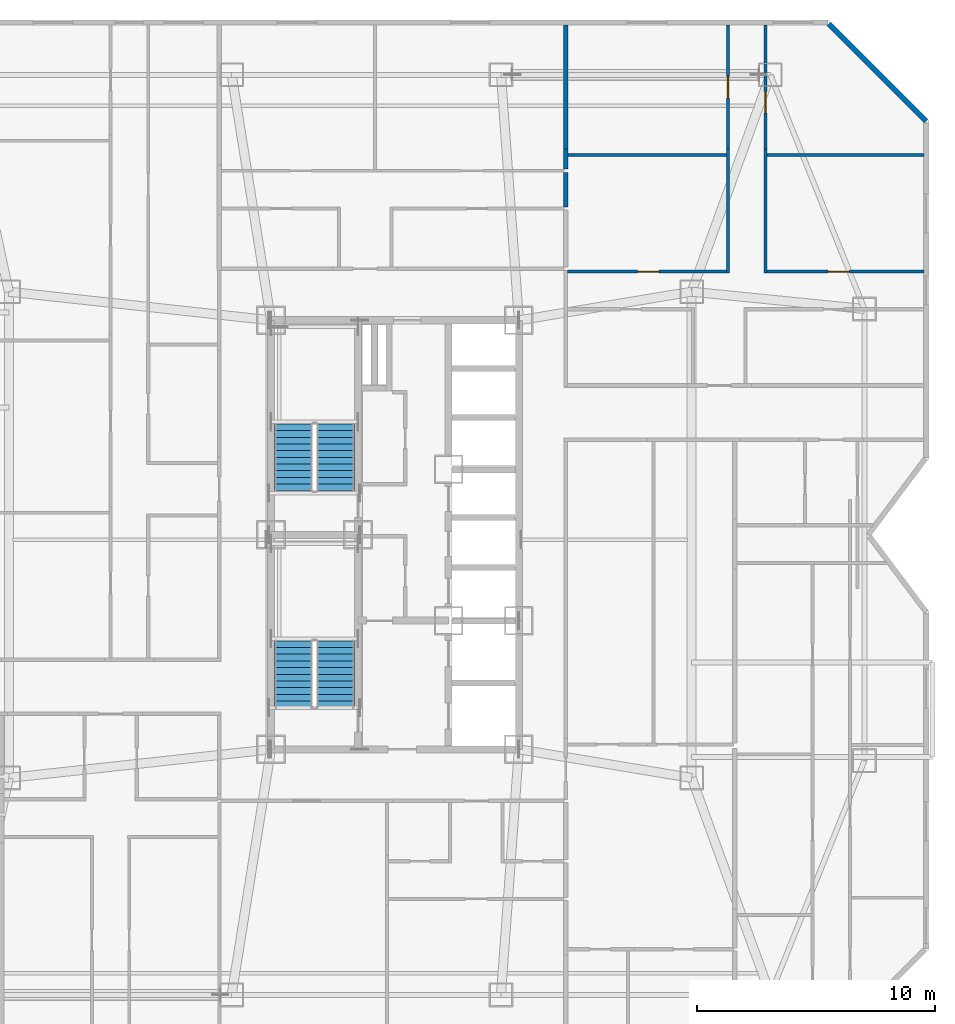
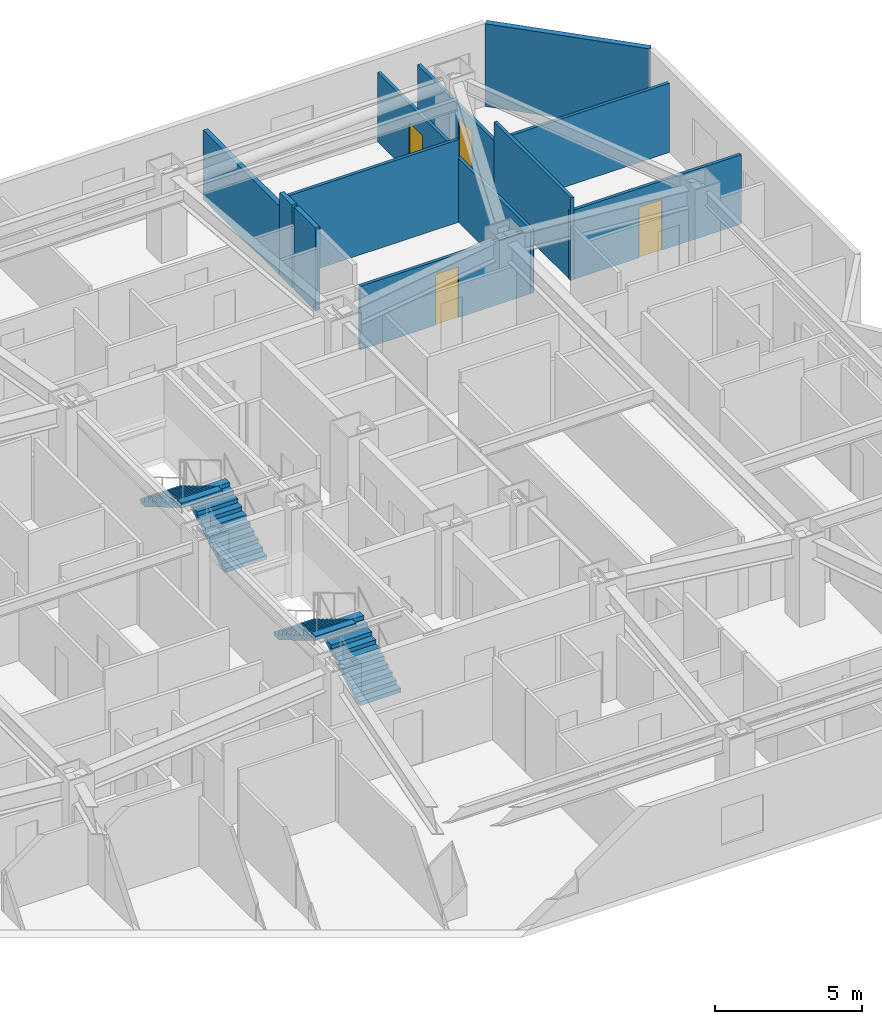
# One storey, part 20 of 21: 12 walls, 4 doors, 4 stair flights, 4 openings, 2 elements without a shape of their own.
"""IFC4 building model written with IfcOpenShell, lengths in metres."""

from ifc_helpers import new_model, si_unit, direction, frame, frame_2d, origin, place, context, subcontext, project, spatial, polyline, rectangle, outline, extrude, material, layer, layer_set, type_object, element, fill, aggregate, save


model = new_model("IFC4")

# Units and contexts
model_context = context("Model", 3, precision=1e-05, world=origin(), true_north=direction((0.0, 1.0)))
body_context = subcontext(model_context, "Body", "Model", "MODEL_VIEW")
ifc_project = project(units=[si_unit("LENGTHUNIT", "METRE"), si_unit("AREAUNIT", "SQUARE_METRE"), si_unit("VOLUMEUNIT", "CUBIC_METRE"), si_unit("PLANEANGLEUNIT", "RADIAN"), si_unit("MASSUNIT", "GRAM", prefix="KILO")], contexts=[model_context])

# Site, building, storey
site_placement = place(None, origin())
site = spatial("IfcSite", under=ifc_project, at=site_placement, CompositionType="ELEMENT")
building_placement = place(site_placement, origin())
building = spatial("IfcBuilding", under=site, at=building_placement, Name="Khamvora Tower", CompositionType="ELEMENT")
storey_placement = place(building_placement, frame((0.0, 0.0, 98.25)))
storey = spatial("IfcBuildingStorey", under=building, at=storey_placement, Name="L24", CompositionType="ELEMENT", Elevation=98.25)

# Walls
ifc_material_1 = material(Name="Acoustic Double-Stud Fire Wall", Category="gypsum")
ifc_layer_1 = layer(ifc_material_1, 0.179931640625)
ifc_layer_set_1 = layer_set([ifc_layer_1], Name="Acoustic Double-Stud Fire Wall")
wall_type_1 = type_object("IfcWallType", Name="WAL-CORR-180", PredefinedType="STANDARD", material=ifc_layer_set_1)
wall_1_placement = place(storey_placement, frame((41.364990234375, 43.2099609375, 0.0), z_axis=(0.0, 0.0, 1.0), x_axis=(0.0, -1.0, 0.0)))
element("IfcWall", 1, at=wall_1_placement, inside=storey, type_object=wall_type_1, Name="L24 interior partition wall 124", PredefinedType="STANDARD", context=body_context, shape_type="SweptSolid", body=[
    extrude(rectangle(XDim=1.449951171875, YDim=0.179931640625, at=frame_2d((0.72509765625, 0.0))), origin(), (0.0, 0.0, 1.0), 3.429931640625),
])
wall_2_placement = place(storey_placement, frame((41.364990234375, 44.179931640625, 0.0), z_axis=(0.0, 0.0, 1.0), x_axis=(0.0, -1.0, 0.0)))
element("IfcWall", 2, at=wall_2_placement, inside=storey, type_object=wall_type_1, Name="L24 interior partition wall 127", PredefinedType="STANDARD", context=body_context, shape_type="SweptSolid", body=[
    extrude(rectangle(XDim=0.83984375, YDim=0.179931640625, at=frame_2d((0.419921875, 0.0))), origin(), (0.0, 0.0, 1.0), 3.429931640625),
])
wall_3_placement = place(storey_placement, frame((41.364990234375, 49.387939453125, 0.0), z_axis=(0.0, 0.0, 1.0), x_axis=(0.0, -1.0, 0.0)))
element("IfcWall", 3, at=wall_3_placement, inside=storey, type_object=wall_type_1, Name="L24 interior partition wall 128", PredefinedType="STANDARD", context=body_context, shape_type="SweptSolid", body=[
    extrude(rectangle(XDim=5.2080078125, YDim=0.179931640625, at=frame_2d((2.60400390625, 0.0))), origin(), (0.0, 0.0, 1.0), 2.8759765625),
])
ifc_material_2 = material(Name="Precast concrete C40/50", Category="concrete")
ifc_layer_2 = layer(ifc_material_2, 0.219970703125)
ifc_layer_set_2 = layer_set([ifc_layer_2], Name="Precast concrete C40/50")
wall_type_2 = type_object("IfcWallType", Name="WAL-EXT-220", PredefinedType="STANDARD", material=ifc_layer_set_2)
wall_4_placement = place(storey_placement, frame((52.402099609375, 49.44189453125, 0.0), z_axis=(0.0, 0.0, 1.0), x_axis=(0.707106781187, -0.707106781187, 0.0)))
element("IfcWall", 4, at=wall_4_placement, inside=storey, type_object=wall_type_2, Name="L24 exterior facade wall 08.1", PredefinedType="STANDARD", context=body_context, shape_type="SweptSolid", body=[
    extrude(rectangle(XDim=5.78125, YDim=0.219970703125, at=frame_2d((2.890625, 0.0))), origin(), (0.0, 0.0, 1.0), 3.429931640625),
])

# Wall, opening, door
ifc_material_3 = material(Name="Gypsum Plasterboard Partition", Category="gypsum")
ifc_layer_3 = layer(ifc_material_3, 0.1201171875)
ifc_layer_set_3 = layer_set([ifc_layer_3], Name="Gypsum Plasterboard Partition")
wall_type_3 = type_object("IfcWallType", Name="WAL-PART-120", PredefinedType="PARTITIONING", material=ifc_layer_set_3)
wall_5_placement = place(storey_placement, frame((41.431884765625, 39.0439453125, 0.0), z_axis=(0.0, 0.0, 1.0), x_axis=(1.0, 0.0, 0.0)))
wall_5 = element("IfcWall", 5, at=wall_5_placement, inside=storey, type_object=wall_type_3, Name="L24 interior partition wall 161", PredefinedType="PARTITIONING", context=body_context, shape_type="SweptSolid", body=[
    extrude(rectangle(XDim=6.80810546875, YDim=0.1201171875, at=frame_2d((3.404052734375, 0.0))), origin(), (0.0, 0.0, 1.0), 2.64697265625),
])
opening_1_placement = place(wall_5_placement, frame((2.9541015625, 0.0, 0.0)))
opening_1 = element("IfcOpeningElement", 6, at=opening_1_placement, cuts=wall_5, Name="Opening D-RM1", PredefinedType="OPENING", context=body_context, shape_type="SweptSolid", body=[
    extrude(rectangle(XDim=0.89990234375, YDim=2.10009765625, at=frame_2d((0.449951171875, 1.050048828125))), frame((0.0, 0.070068359375, 0.0), z_axis=(0.0, -1.0, 0.0), x_axis=(1.0, 0.0, 0.0)), (0.0, 0.0, 1.0), 0.14013671875),
])
ifc_material_4 = material(Name="Powder-Coated Steel and Hardwood Leaf", Category="steel")
door_type = type_object("IfcDoorType", Name="DOR-ROOM-900", OperationType="NOTDEFINED", PredefinedType="DOOR", material=ifc_material_4)
door_1_placement = place(opening_1_placement, origin())
door_1 = element("IfcDoor", 7, at=door_1_placement, inside=storey, type_object=door_type, Name="L24 interior door 24ECH-24ECL", OperationType="SINGLE_SWING_LEFT", OverallHeight=2.10009765625, OverallWidth=0.89990234375, PredefinedType="DOOR", context=body_context, shape_type="SweptSolid", body=[
    extrude(rectangle(XDim=0.89990234375, YDim=2.10009765625, at=frame_2d((0.449951171875, 1.050048828125))), frame((0.0, 0.02490234375, 0.0), z_axis=(0.0, -1.0, 0.0), x_axis=(1.0, 0.0, 0.0)), (0.0, 0.0, 1.0), 0.050048828125),
])
fill(opening_1, door_1)

# Wall
wall_6_placement = place(storey_placement, frame((48.175048828125, 38.97900390625, 0.0), z_axis=(0.0, 0.0, 1.0), x_axis=(0.0, 1.0, 0.0)))
element("IfcWall", 8, at=wall_6_placement, inside=storey, type_object=wall_type_3, Name="L24 interior partition wall 162", PredefinedType="PARTITIONING", context=body_context, shape_type="SweptSolid", body=[
    extrude(rectangle(XDim=5.200927734375, YDim=0.1201171875, at=frame_2d((2.6005859375, 0.0))), origin(), (0.0, 0.0, 1.0), 2.64697265625),
])

# Wall, opening, door
wall_7_placement = place(storey_placement, frame((48.175048828125, 44.179931640625, 0.0), z_axis=(0.0, 0.0, 1.0), x_axis=(0.0, 1.0, 0.0)))
wall_7 = element("IfcWall", 9, at=wall_7_placement, inside=storey, type_object=wall_type_3, Name="L24 interior partition wall 163", PredefinedType="PARTITIONING", context=body_context, shape_type="SweptSolid", body=[
    extrude(rectangle(XDim=5.2080078125, YDim=0.1201171875, at=frame_2d((2.60400390625, 0.0))), origin(), (0.0, 0.0, 1.0), 2.8759765625),
])
opening_2_placement = place(wall_7_placement, frame((2.154052734375, 0.0, 0.0)))
opening_2 = element("IfcOpeningElement", 10, at=opening_2_placement, cuts=wall_7, Name="Opening D-RM1", PredefinedType="OPENING", context=body_context, shape_type="SweptSolid", body=[
    extrude(rectangle(XDim=0.89990234375, YDim=2.10009765625, at=frame_2d((0.449951171875, 1.050048828125))), frame((0.0, 0.070068359375, 0.0), z_axis=(0.0, -1.0, 0.0), x_axis=(1.0, 0.0, 0.0)), (0.0, 0.0, 1.0), 0.14013671875),
])
door_2_placement = place(opening_2_placement, origin())
door_2 = element("IfcDoor", 11, at=door_2_placement, inside=storey, type_object=door_type, Name="L24 interior door 24ECH-24ECR2", OperationType="SINGLE_SWING_LEFT", OverallHeight=2.10009765625, OverallWidth=0.89990234375, PredefinedType="DOOR", context=body_context, shape_type="SweptSolid", body=[
    extrude(rectangle(XDim=0.89990234375, YDim=2.10009765625, at=frame_2d((0.449951171875, 1.050048828125))), frame((0.0, 0.02490234375, 0.0), z_axis=(0.0, -1.0, 0.0), x_axis=(1.0, 0.0, 0.0)), (0.0, 0.0, 1.0), 0.050048828125),
])
fill(opening_2, door_2)

# Wall
wall_8_placement = place(storey_placement, frame((49.7451171875, 44.179931640625, 0.0), z_axis=(0.0, 0.0, 1.0), x_axis=(0.0, -1.0, 0.0)))
element("IfcWall", 12, at=wall_8_placement, inside=storey, type_object=wall_type_3, Name="L24 interior partition wall 164", PredefinedType="PARTITIONING", context=body_context, shape_type="SweptSolid", body=[
    extrude(rectangle(XDim=5.200927734375, YDim=0.1201171875, at=frame_2d((2.6005859375, 0.0))), origin(), (0.0, 0.0, 1.0), 3.429931640625),
])

# Wall, opening, door
wall_9_placement = place(storey_placement, frame((49.679931640625, 39.0439453125, 0.0), z_axis=(0.0, 0.0, 1.0), x_axis=(1.0, 0.0, 0.0)))
wall_9 = element("IfcWall", 13, at=wall_9_placement, inside=storey, type_object=wall_type_3, Name="L24 interior partition wall 165", PredefinedType="PARTITIONING", context=body_context, shape_type="SweptSolid", body=[
    extrude(rectangle(XDim=6.7080078125, YDim=0.1201171875, at=frame_2d((3.35400390625, 0.0))), origin(), (0.0, 0.0, 1.0), 2.8759765625),
])
opening_3_placement = place(wall_9_placement, frame((2.68603515625, 0.0, 0.0)))
opening_3 = element("IfcOpeningElement", 14, at=opening_3_placement, cuts=wall_9, Name="Opening D-RM1", PredefinedType="OPENING", context=body_context, shape_type="SweptSolid", body=[
    extrude(rectangle(XDim=0.89990234375, YDim=2.10009765625, at=frame_2d((0.449951171875, 1.050048828125))), frame((0.0, 0.070068359375, 0.0), z_axis=(0.0, -1.0, 0.0), x_axis=(1.0, 0.0, 0.0)), (0.0, 0.0, 1.0), 0.14013671875),
])
door_3_placement = place(opening_3_placement, origin())
door_3 = element("IfcDoor", 15, at=door_3_placement, inside=storey, type_object=door_type, Name="L24 interior door 24ECH-24ECR3", OperationType="SINGLE_SWING_LEFT", OverallHeight=2.10009765625, OverallWidth=0.89990234375, PredefinedType="DOOR", context=body_context, shape_type="SweptSolid", body=[
    extrude(rectangle(XDim=0.89990234375, YDim=2.10009765625, at=frame_2d((0.449951171875, 1.050048828125))), frame((0.0, 0.02490234375, 0.0), z_axis=(0.0, -1.0, 0.0), x_axis=(1.0, 0.0, 0.0)), (0.0, 0.0, 1.0), 0.050048828125),
])
fill(opening_3, door_3)

wall_10_placement = place(storey_placement, frame((49.7451171875, 49.387939453125, 0.0), z_axis=(0.0, 0.0, 1.0), x_axis=(0.0, -1.0, 0.0)))
wall_10 = element("IfcWall", 16, at=wall_10_placement, inside=storey, type_object=wall_type_3, Name="L24 interior partition wall 166", PredefinedType="PARTITIONING", context=body_context, shape_type="SweptSolid", body=[
    extrude(rectangle(XDim=5.2080078125, YDim=0.1201171875, at=frame_2d((2.60400390625, 0.0))), origin(), (0.0, 0.0, 1.0), 2.64697265625),
])
opening_4_placement = place(wall_10_placement, frame((2.7958984375, 0.0, 0.0)))
opening_4 = element("IfcOpeningElement", 17, at=opening_4_placement, cuts=wall_10, Name="Opening D-RM1", PredefinedType="OPENING", context=body_context, shape_type="SweptSolid", body=[
    extrude(rectangle(XDim=0.89990234375, YDim=2.10009765625, at=frame_2d((0.449951171875, 1.050048828125))), frame((0.0, 0.070068359375, 0.0), z_axis=(0.0, -1.0, 0.0), x_axis=(1.0, 0.0, 0.0)), (0.0, 0.0, 1.0), 0.14013671875),
])
door_4_placement = place(opening_4_placement, origin())
door_4 = element("IfcDoor", 18, at=door_4_placement, inside=storey, type_object=door_type, Name="L24 interior door 24ECH-24ECR4", OperationType="SINGLE_SWING_RIGHT", OverallHeight=2.10009765625, OverallWidth=0.89990234375, PredefinedType="DOOR", context=body_context, shape_type="SweptSolid", body=[
    extrude(rectangle(XDim=0.89990234375, YDim=2.10009765625, at=frame_2d((0.449951171875, 1.050048828125))), frame((0.0, 0.02490234375, 0.0), z_axis=(0.0, -1.0, 0.0), x_axis=(1.0, 0.0, 0.0)), (0.0, 0.0, 1.0), 0.050048828125),
])
fill(opening_4, door_4)

# Walls
wall_11_placement = place(storey_placement, frame((41.447021484375, 43.930908203125, 0.0), z_axis=(0.0, 0.0, 1.0), x_axis=(1.0, 0.0, 0.0)))
element("IfcWall", 19, at=wall_11_placement, inside=storey, type_object=wall_type_3, Name="L24 interior partition wall 167", PredefinedType="PARTITIONING", context=body_context, shape_type="SweptSolid", body=[
    extrude(rectangle(XDim=6.674072265625, YDim=0.1201171875, at=frame_2d((3.3369140625, 0.0))), origin(), (0.0, 0.0, 1.0), 3.429931640625),
])
wall_12_placement = place(storey_placement, frame((49.799072265625, 43.930908203125, 0.0), z_axis=(0.0, 0.0, 1.0), x_axis=(1.0, 0.0, 0.0)))
element("IfcWall", 20, at=wall_12_placement, inside=storey, type_object=wall_type_3, Name="L24 interior partition wall 168", PredefinedType="PARTITIONING", context=body_context, shape_type="SweptSolid", body=[
    extrude(rectangle(XDim=6.5888671875, YDim=0.1201171875, at=frame_2d((3.29443359375, 0.0))), origin(), (0.0, 0.0, 1.0), 2.8759765625),
])

# Stair, stair flights
ifc_material_5 = material(Name="Concrete C40/50", Category="concrete")
stair_type_1 = type_object("IfcStairType", Name="STR-ST-01", PredefinedType="HALF_TURN_STAIR", material=ifc_material_5)
stair_1_placement = place(storey_placement, origin())
stair_1 = element("IfcStair", 21, at=stair_1_placement, inside=storey, type_object=stair_type_1, Name="L24 South Tower Exit Stair ST-01", PredefinedType="HALF_TURN_STAIR")
stair_flight_type_1 = type_object("IfcStairFlightType", Name="STF-ST-01", PredefinedType="STRAIGHT", material=ifc_material_5)
stair_flight_1_placement = place(storey_placement, frame((31.699951171875, 20.75, 0.0), z_axis=(0.0, 0.0, 1.0), x_axis=(0.0, 1.0, 0.0)))
stair_flight_1 = element("IfcStairFlight", 22, at=stair_flight_1_placement, type_object=stair_flight_type_1, Name="ST-01 flight 1", NumberOfRisers=11, NumberOfTreads=10, PredefinedType="STRAIGHT", RiserHeight=0.165909091, TreadLength=0.28, context=body_context, shape_type="SweptSolid", body=[
    extrude(outline(polyline([(0.0, 0.0), (0.0, 0.166015625), (0.280029296875, 0.166015625), (0.280029296875, 0.331787109375), (0.56005859375, 0.331787109375), (0.56005859375, 0.497802734375), (0.840087890625, 0.497802734375), (0.840087890625, 0.66357421875), (1.1201171875, 0.66357421875), (1.1201171875, 0.82958984375), (1.39990234375, 0.82958984375), (1.39990234375, 0.995361328125), (1.679931640625, 0.995361328125), (1.679931640625, 1.161376953125), (1.9599609375, 1.161376953125), (1.9599609375, 1.327392578125), (2.239990234375, 1.327392578125), (2.239990234375, 1.4931640625), (2.52001953125, 1.4931640625), (2.52001953125, 1.6591796875), (2.800048828125, 1.6591796875), (2.800048828125, 1.824951171875), (2.800048828125, 1.48486328125), (0.2939453125, 0.0), (0.0, 0.0)])), frame((0.0, 0.800048828125, 0.0), z_axis=(0.0, -1.0, 0.0), x_axis=(1.0, 0.0, 0.0)), (0.0, 0.0, 1.0), 1.60009765625),
])
stair_flight_2_placement = place(storey_placement, frame((29.949951171875, 23.550048828125, 1.824951171875), z_axis=(0.0, 0.0, 1.0), x_axis=(0.0, -1.0, 0.0)))
stair_flight_2 = element("IfcStairFlight", 23, at=stair_flight_2_placement, type_object=stair_flight_type_1, Name="ST-01 flight 2", NumberOfRisers=11, NumberOfTreads=10, PredefinedType="STRAIGHT", RiserHeight=0.165909091, TreadLength=0.28, context=body_context, shape_type="SweptSolid", body=[
    extrude(outline(polyline([(0.0, 0.0), (0.0, 0.166015625), (0.280029296875, 0.166015625), (0.280029296875, 0.331787109375), (0.56005859375, 0.331787109375), (0.56005859375, 0.497802734375), (0.840087890625, 0.497802734375), (0.840087890625, 0.66357421875), (1.1201171875, 0.66357421875), (1.1201171875, 0.82958984375), (1.39990234375, 0.82958984375), (1.39990234375, 0.995361328125), (1.679931640625, 0.995361328125), (1.679931640625, 1.161376953125), (1.9599609375, 1.161376953125), (1.9599609375, 1.327392578125), (2.239990234375, 1.327392578125), (2.239990234375, 1.4931640625), (2.52001953125, 1.4931640625), (2.52001953125, 1.6591796875), (2.800048828125, 1.6591796875), (2.800048828125, 1.824951171875), (2.800048828125, 1.48486328125), (0.2939453125, 0.0), (0.0, 0.0)])), frame((0.0, 0.800048828125, 0.0), z_axis=(0.0, -1.0, 0.0), x_axis=(1.0, 0.0, 0.0)), (0.0, 0.0, 1.0), 1.60009765625),
])
aggregate(stair_1, [stair_flight_1, stair_flight_2])

stair_type_2 = type_object("IfcStairType", Name="STR-ST-02", PredefinedType="HALF_TURN_STAIR", material=ifc_material_5)
stair_2_placement = place(storey_placement, origin())
stair_2 = element("IfcStair", 24, at=stair_2_placement, inside=storey, type_object=stair_type_2, Name="L24 North Tower Exit Stair ST-02", PredefinedType="HALF_TURN_STAIR")
stair_flight_type_2 = type_object("IfcStairFlightType", Name="STF-ST-02", PredefinedType="STRAIGHT", material=ifc_material_5)
stair_flight_3_placement = place(storey_placement, frame((31.699951171875, 29.85009765625, 0.0), z_axis=(0.0, 0.0, 1.0), x_axis=(0.0, 1.0, 0.0)))
stair_flight_3 = element("IfcStairFlight", 25, at=stair_flight_3_placement, type_object=stair_flight_type_2, Name="ST-02 flight 1", NumberOfRisers=11, NumberOfTreads=10, PredefinedType="STRAIGHT", RiserHeight=0.165909091, TreadLength=0.28, context=body_context, shape_type="SweptSolid", body=[
    extrude(outline(polyline([(0.0, 0.0), (0.0, 0.166015625), (0.280029296875, 0.166015625), (0.280029296875, 0.331787109375), (0.56005859375, 0.331787109375), (0.56005859375, 0.497802734375), (0.840087890625, 0.497802734375), (0.840087890625, 0.66357421875), (1.1201171875, 0.66357421875), (1.1201171875, 0.82958984375), (1.39990234375, 0.82958984375), (1.39990234375, 0.995361328125), (1.679931640625, 0.995361328125), (1.679931640625, 1.161376953125), (1.9599609375, 1.161376953125), (1.9599609375, 1.327392578125), (2.239990234375, 1.327392578125), (2.239990234375, 1.4931640625), (2.52001953125, 1.4931640625), (2.52001953125, 1.6591796875), (2.800048828125, 1.6591796875), (2.800048828125, 1.824951171875), (2.800048828125, 1.48486328125), (0.2939453125, 0.0), (0.0, 0.0)])), frame((0.0, 0.800048828125, 0.0), z_axis=(0.0, -1.0, 0.0), x_axis=(1.0, 0.0, 0.0)), (0.0, 0.0, 1.0), 1.60009765625),
])
stair_flight_4_placement = place(storey_placement, frame((29.949951171875, 32.64990234375, 1.824951171875), z_axis=(0.0, 0.0, 1.0), x_axis=(0.0, -1.0, 0.0)))
stair_flight_4 = element("IfcStairFlight", 26, at=stair_flight_4_placement, type_object=stair_flight_type_2, Name="ST-02 flight 2", NumberOfRisers=11, NumberOfTreads=10, PredefinedType="STRAIGHT", RiserHeight=0.165909091, TreadLength=0.28, context=body_context, shape_type="SweptSolid", body=[
    extrude(outline(polyline([(0.0, 0.0), (0.0, 0.166015625), (0.280029296875, 0.166015625), (0.280029296875, 0.331787109375), (0.56005859375, 0.331787109375), (0.56005859375, 0.497802734375), (0.840087890625, 0.497802734375), (0.840087890625, 0.66357421875), (1.1201171875, 0.66357421875), (1.1201171875, 0.82958984375), (1.39990234375, 0.82958984375), (1.39990234375, 0.995361328125), (1.679931640625, 0.995361328125), (1.679931640625, 1.161376953125), (1.9599609375, 1.161376953125), (1.9599609375, 1.327392578125), (2.239990234375, 1.327392578125), (2.239990234375, 1.4931640625), (2.52001953125, 1.4931640625), (2.52001953125, 1.6591796875), (2.800048828125, 1.6591796875), (2.800048828125, 1.824951171875), (2.800048828125, 1.48486328125), (0.2939453125, 0.0), (0.0, 0.0)])), frame((0.0, 0.800048828125, 0.0), z_axis=(0.0, -1.0, 0.0), x_axis=(1.0, 0.0, 0.0)), (0.0, 0.0, 1.0), 1.60009765625),
])
aggregate(stair_2, [stair_flight_3, stair_flight_4])

save(model, "model.ifc")
